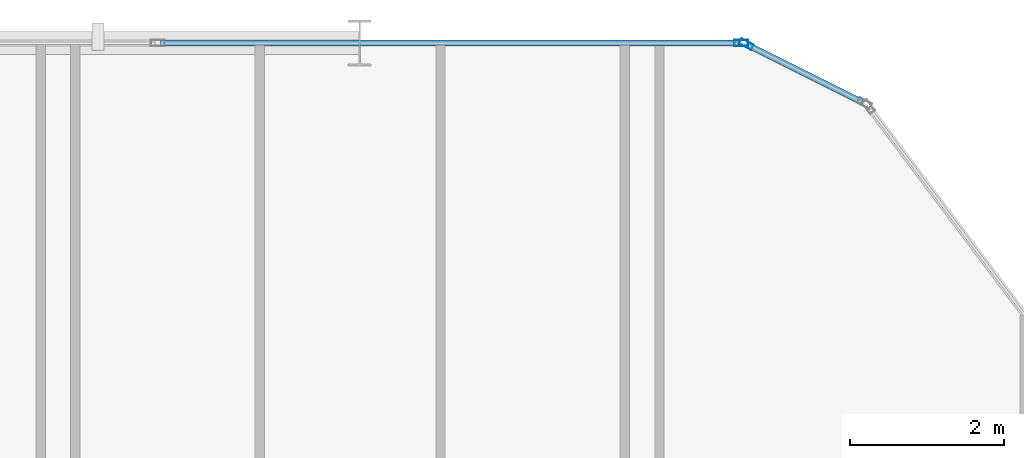
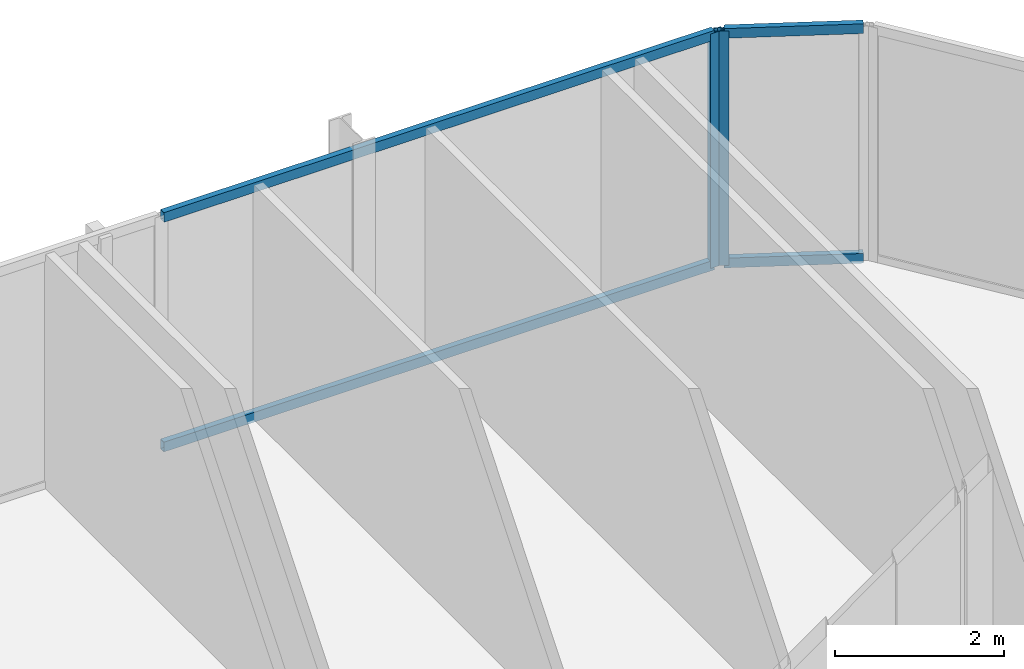
# One storey, part 20 of 30: 6 members, 2 elements without a shape of their own.
"""IFC4 building model written with IfcOpenShell, lengths in metres."""

from ifc_helpers import new_model, si_unit, direction, frame, origin, origin_2d, place, context, subcontext, project, spatial, hollow_rectangle, extrude, material, layer, layer_set, material_profile, profile_set, type_object, element, aggregate, save


model = new_model("IFC4")

# Units and contexts
model_context = context("Model", 3, precision=1e-05, world=origin(), true_north=direction((0.0, 1.0)))
body_context = subcontext(model_context, "Body", "Model", "MODEL_VIEW")
ifc_project = project(units=[si_unit("LENGTHUNIT", "METRE"), si_unit("AREAUNIT", "SQUARE_METRE"), si_unit("VOLUMEUNIT", "CUBIC_METRE"), si_unit("PLANEANGLEUNIT", "RADIAN"), si_unit("MASSUNIT", "GRAM", prefix="KILO")], contexts=[model_context])

# Site, building, storey
site_placement = place(None, origin())
site = spatial("IfcSite", under=ifc_project, at=site_placement, CompositionType="ELEMENT")
building_placement = place(site_placement, origin())
building = spatial("IfcBuilding", under=site, at=building_placement, Name="Keshet Zoharim Tower", CompositionType="ELEMENT")
storey_placement = place(building_placement, frame((0.0, 0.0, 109.39990234375)))
storey = spatial("IfcBuildingStorey", under=building, at=storey_placement, Name="L26", CompositionType="ELEMENT", Elevation=109.39990234375)

# Curtain wall, member
ifc_material = material(Name="Aluminium 6063-T6", Category="aluminium")
ifc_layer = layer(ifc_material, 0.159912109375)
ifc_layer_set = layer_set([ifc_layer], Name="Aluminium 6063-T6")
curtain_wall_type = type_object("IfcCurtainWallType", Name="CW-SYS-03", PredefinedType="NOTDEFINED", material=ifc_layer_set)
curtain_wall_1_placement = place(storey_placement, origin())
curtain_wall_1 = element("IfcCurtainWall", 1, at=curtain_wall_1_placement, inside=storey, type_object=curtain_wall_type, Name="L26 Unitised Curtain Wall 13 Part 5", PredefinedType="NOTDEFINED")
ifc_material_profile_1 = material_profile(ifc_material, hollow_rectangle(XDim=0.080078125, YDim=0.179931640625, WallThickness=0.00439453125, at=origin_2d()), Name="MUL-80x180")
ifc_profile_set_1 = profile_set([ifc_material_profile_1], Name="Aluminium 6063-T6")
member_type_1 = type_object("IfcMemberType", Name="CWM-M18", PredefinedType="MULLION", material=ifc_profile_set_1)
member_1_placement = place(storey_placement, frame((49.965087890625, 53.89990234375, 0.0), z_axis=(0.0, 0.0, 1.0), x_axis=(0.0, 1.0, 0.0)))
member_1 = element("IfcMember", 2, at=member_1_placement, type_object=member_type_1, Name="CW-03 mullion 3", PredefinedType="MULLION", context=body_context, shape_type="SweptSolid", body=[
    extrude(hollow_rectangle(XDim=0.080078125, YDim=0.179931640625, WallThickness=0.00439453125, at=origin_2d()), origin(), (0.0, 0.0, 1.0), 3.385009765625),
])

curtain_wall_2_placement = place(storey_placement, origin())
curtain_wall_2 = element("IfcCurtainWall", 3, at=curtain_wall_2_placement, inside=storey, type_object=curtain_wall_type, Name="L26 Unitised Curtain Wall 14", PredefinedType="NOTDEFINED")
member_2_placement = place(storey_placement, frame((50.03125, 53.88427734375, 0.0), z_axis=(0.0, 0.0, 1.0), x_axis=(0.447213595499, 0.894427191001, 0.0)))
member_2 = element("IfcMember", 4, at=member_2_placement, type_object=member_type_1, Name="CW-03 mullion 1", PredefinedType="MULLION", context=body_context, shape_type="SweptSolid", body=[
    extrude(hollow_rectangle(XDim=0.080078125, YDim=0.179931640625, WallThickness=0.00439453125, at=origin_2d()), origin(), (0.0, 0.0, 1.0), 3.385009765625),
])

# Member
ifc_material_profile_2 = material_profile(ifc_material, hollow_rectangle(XDim=0.080078125, YDim=0.139892578125, WallThickness=0.00390625, at=origin_2d()), Name="TRN-80x140")
ifc_profile_set_2 = profile_set([ifc_material_profile_2], Name="Aluminium 6063-T6")
member_type_2 = type_object("IfcMemberType", Name="CWT-T14", PredefinedType="USERDEFINED", material=ifc_profile_set_2)
member_3_placement = place(storey_placement, frame((42.408935546875, 53.89990234375, 0.03515625), z_axis=(1.0, 0.0, 0.0), x_axis=(0.0, 1.0, 0.0)))
member_3 = element("IfcMember", 5, at=member_3_placement, type_object=member_type_2, Name="CW-03 transom 2.1", ObjectType="TRANSOM", PredefinedType="USERDEFINED", context=body_context, shape_type="SweptSolid", body=[
    extrude(hollow_rectangle(XDim=0.080078125, YDim=0.139892578125, WallThickness=0.00390625, at=origin_2d()), origin(), (0.0, 0.0, 1.0), 7.52099609375),
])

member_4_placement = place(storey_placement, frame((42.408935546875, 53.89990234375, 3.35009765625), z_axis=(1.0, 0.0, 0.0), x_axis=(0.0, 1.0, 0.0)))
member_4 = element("IfcMember", 6, at=member_4_placement, type_object=member_type_2, Name="CW-03 transom 2.2", ObjectType="TRANSOM", PredefinedType="USERDEFINED", context=body_context, shape_type="SweptSolid", body=[
    extrude(hollow_rectangle(XDim=0.080078125, YDim=0.139892578125, WallThickness=0.00390625, at=origin_2d()), origin(), (0.0, 0.0, 1.0), 7.52099609375),
])

aggregate(curtain_wall_1, [member_1, member_3, member_4])

member_5_placement = place(storey_placement, frame((50.0625, 53.86865234375, 0.03515625), z_axis=(0.894456801911, -0.447154368775, 0.0), x_axis=(0.447154368775, 0.894456801911, 0.0)))
member_5 = element("IfcMember", 7, at=member_5_placement, type_object=member_type_2, Name="CW-03 transom 1.1", ObjectType="TRANSOM", PredefinedType="USERDEFINED", context=body_context, shape_type="SweptSolid", body=[
    extrude(hollow_rectangle(XDim=0.080078125, YDim=0.139892578125, WallThickness=0.00390625, at=origin_2d()), origin(), (0.0, 0.0, 1.0), 1.64892578125),
])

member_6_placement = place(storey_placement, frame((50.0625, 53.86865234375, 3.35009765625), z_axis=(0.894456801911, -0.447154368775, 0.0), x_axis=(0.447154368775, 0.894456801911, 0.0)))
member_6 = element("IfcMember", 8, at=member_6_placement, type_object=member_type_2, Name="CW-03 transom 1.2", ObjectType="TRANSOM", PredefinedType="USERDEFINED", context=body_context, shape_type="SweptSolid", body=[
    extrude(hollow_rectangle(XDim=0.080078125, YDim=0.139892578125, WallThickness=0.00390625, at=origin_2d()), origin(), (0.0, 0.0, 1.0), 1.64892578125),
])

aggregate(curtain_wall_2, [member_2, member_5, member_6])

save(model, "model.ifc")
